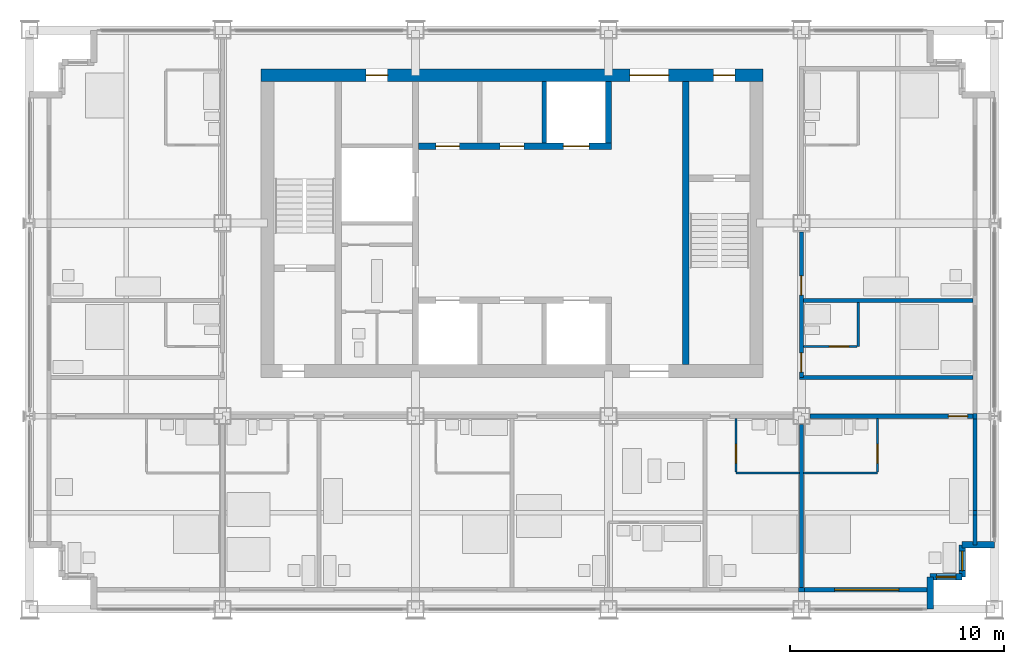
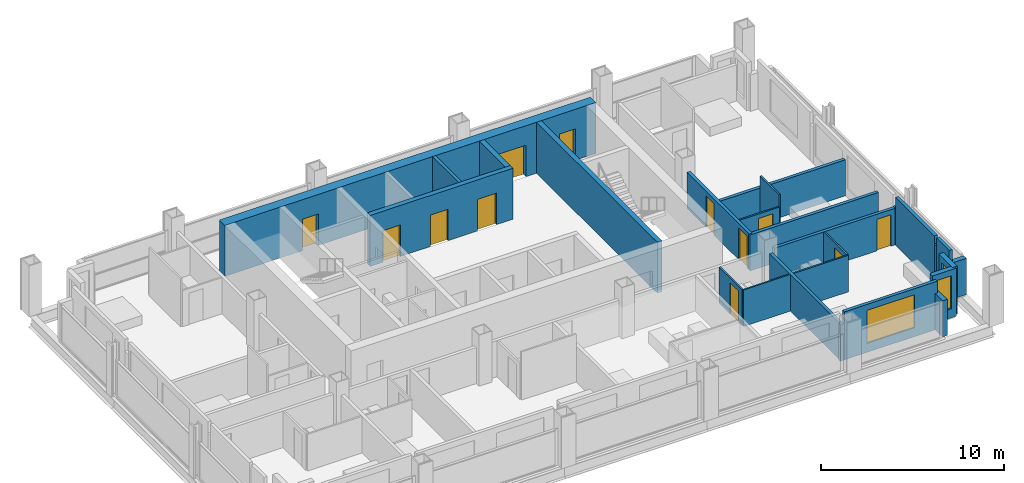
# One storey, part 9 of 13: 26 walls, 12 doors, 3 windows, 15 openings.
"""IFC4 building model written with IfcOpenShell, lengths in metres."""

from ifc_helpers import new_model, si_unit, direction, frame, frame_2d, origin, place, context, subcontext, project, spatial, rectangle, extrude, material, layer, layer_set, type_object, element, fill, save


model = new_model("IFC4")

# Units and contexts
model_context = context("Model", 3, precision=1e-05, world=origin(), true_north=direction((0.0, 1.0)))
body_context = subcontext(model_context, "Body", "Model", "MODEL_VIEW")
ifc_project = project(units=[si_unit("LENGTHUNIT", "METRE"), si_unit("AREAUNIT", "SQUARE_METRE"), si_unit("VOLUMEUNIT", "CUBIC_METRE"), si_unit("PLANEANGLEUNIT", "RADIAN"), si_unit("MASSUNIT", "GRAM", prefix="KILO")], contexts=[model_context])

# Site, building, storey
site_placement = place(None, origin())
site = spatial("IfcSite", under=ifc_project, at=site_placement, CompositionType="ELEMENT")
building_placement = place(site_placement, origin())
building = spatial("IfcBuilding", under=site, at=building_placement, Name="Loomwork Tower", CompositionType="ELEMENT")
storey_placement = place(building_placement, frame((0.0, 0.0, 211.39990234375)))
storey = spatial("IfcBuildingStorey", under=building, at=storey_placement, Name="L58", CompositionType="ELEMENT", Elevation=211.39990234375)

# Wall, openings, doors
ifc_material_1 = material(Name="Concrete 14000 psi (97 MPa)", Category="concrete")
ifc_layer_1 = layer(ifc_material_1, 0.300048828125)
ifc_layer_set_1 = layer_set([ifc_layer_1], Name="Core shear wall 300")
wall_type_1 = type_object("IfcWallType", Name="Core shear wall 300", PredefinedType="SHEAR", material=ifc_layer_set_1)
wall_1_placement = place(storey_placement, frame((18.14990234375, 21.60009765625, 0.0), z_axis=(0.0, 0.0, 1.0), x_axis=(1.0, 0.0, 0.0)))
wall_1 = element("IfcWall", 1, at=wall_1_placement, inside=storey, type_object=wall_type_1, Name="Lift front wall north L58", PredefinedType="SHEAR", context=body_context, shape_type="SweptSolid", body=[
    extrude(rectangle(XDim=9.0, YDim=0.300048828125, at=frame_2d((4.5, 0.0))), origin(), (0.0, 0.0, 1.0), 3.400146484375),
])
opening_1_placement = place(wall_1_placement, frame((6.75, 0.0, 0.0)))
opening_1 = element("IfcOpeningElement", 2, at=opening_1_placement, cuts=wall_1, Name="Opening LD2", PredefinedType="OPENING", context=body_context, shape_type="SweptSolid", body=[
    extrude(rectangle(XDim=1.199951171875, YDim=2.10009765625, at=frame_2d((0.60009765625, 1.050048828125))), frame((0.0, 0.159912109375, 0.0), z_axis=(0.0, -1.0, 0.0), x_axis=(1.0, 0.0, 0.0)), (0.0, 0.0, 1.0), 0.320068359375),
])
opening_2_placement = place(wall_1_placement, frame((0.800048828125, 0.0, 0.0)))
opening_2 = element("IfcOpeningElement", 3, at=opening_2_placement, cuts=wall_1, Name="Opening D17", PredefinedType="OPENING", context=body_context, shape_type="SweptSolid", body=[
    extrude(rectangle(XDim=1.10009765625, YDim=2.10009765625, at=frame_2d((0.550048828125, 1.050048828125))), frame((0.0, 0.159912109375, 0.0), z_axis=(0.0, -1.0, 0.0), x_axis=(1.0, 0.0, 0.0)), (0.0, 0.0, 1.0), 0.320068359375),
])
opening_3_placement = place(wall_1_placement, frame((3.800048828125, 0.0, 0.0)))
opening_3 = element("IfcOpeningElement", 4, at=opening_3_placement, cuts=wall_1, Name="Opening D17", PredefinedType="OPENING", context=body_context, shape_type="SweptSolid", body=[
    extrude(rectangle(XDim=1.10009765625, YDim=2.10009765625, at=frame_2d((0.550048828125, 1.050048828125))), frame((0.0, 0.159912109375, 0.0), z_axis=(0.0, -1.0, 0.0), x_axis=(1.0, 0.0, 0.0)), (0.0, 0.0, 1.0), 0.320068359375),
])
ifc_material_2 = material(Name="Hollow metal door and frame")
door_type_1 = type_object("IfcDoorType", Name="Lift landing door 1200", OperationType="SLIDING_TO_LEFT", PredefinedType="DOOR", material=ifc_material_2)
door_1_placement = place(opening_1_placement, origin())
door_1 = element("IfcDoor", 5, at=door_1_placement, inside=storey, type_object=door_type_1, Name="Lift landing door LF2", OperationType="SLIDING_TO_LEFT", OverallHeight=2.10009765625, OverallWidth=1.199951171875, PredefinedType="DOOR", context=body_context, shape_type="SweptSolid", body=[
    extrude(rectangle(XDim=1.199951171875, YDim=2.10009765625, at=frame_2d((0.60009765625, 1.050048828125))), frame((0.0, 0.02490234375, 0.0), z_axis=(0.0, -1.0, 0.0), x_axis=(1.0, 0.0, 0.0)), (0.0, 0.0, 1.0), 0.050048828125),
])
fill(opening_1, door_1)
ifc_material_3 = material(Name="Hollow metal door and frame")
door_type_2 = type_object("IfcDoorType", Name="Service room door 1100", OperationType="SINGLE_SWING_LEFT", PredefinedType="DOOR", material=ifc_material_3)
door_2_placement = place(opening_2_placement, origin())
door_2 = element("IfcDoor", 6, at=door_2_placement, inside=storey, type_object=door_type_2, Name="Storage room door L58", OperationType="SINGLE_SWING_LEFT", OverallHeight=2.10009765625, OverallWidth=1.10009765625, PredefinedType="DOOR", context=body_context, shape_type="SweptSolid", body=[
    extrude(rectangle(XDim=1.10009765625, YDim=2.10009765625, at=frame_2d((0.550048828125, 1.050048828125))), frame((0.0, 0.02490234375, 0.0), z_axis=(0.0, -1.0, 0.0), x_axis=(1.0, 0.0, 0.0)), (0.0, 0.0, 1.0), 0.050048828125),
])
fill(opening_2, door_2)
door_3_placement = place(opening_3_placement, origin())
door_3 = element("IfcDoor", 7, at=door_3_placement, inside=storey, type_object=door_type_2, Name="Linen and housekeeping store door L58", OperationType="SINGLE_SWING_LEFT", OverallHeight=2.10009765625, OverallWidth=1.10009765625, PredefinedType="DOOR", context=body_context, shape_type="SweptSolid", body=[
    extrude(rectangle(XDim=1.10009765625, YDim=2.10009765625, at=frame_2d((0.550048828125, 1.050048828125))), frame((0.0, 0.02490234375, 0.0), z_axis=(0.0, -1.0, 0.0), x_axis=(1.0, 0.0, 0.0)), (0.0, 0.0, 1.0), 0.050048828125),
])
fill(opening_3, door_3)

# Walls
wall_2_placement = place(storey_placement, frame((27.0, 21.75, 0.0), z_axis=(0.0, 0.0, 1.0), x_axis=(0.0, 1.0, 0.0)))
element("IfcWall", 8, at=wall_2_placement, inside=storey, type_object=wall_type_1, Name="Lift shaft end wall north L58", PredefinedType="SHEAR", context=body_context, shape_type="SweptSolid", body=[
    extrude(rectangle(XDim=2.85009765625, YDim=0.300048828125, at=frame_2d((1.425048828125, 0.0))), origin(), (0.0, 0.0, 1.0), 3.400146484375),
])
wall_3_placement = place(storey_placement, frame((30.60009765625, 11.39990234375, 0.0), z_axis=(0.0, 0.0, 1.0), x_axis=(0.0, 1.0, 0.0)))
element("IfcWall", 9, at=wall_3_placement, inside=storey, type_object=wall_type_1, Name="Stair B west wall L58", PredefinedType="SHEAR", context=body_context, shape_type="SweptSolid", body=[
    extrude(rectangle(XDim=13.2001953125, YDim=0.300048828125, at=frame_2d((6.60009765625, 0.0))), origin(), (0.0, 0.0, 1.0), 3.400146484375),
])

# Wall, openings, doors
ifc_material_4 = material(Name="Concrete 14000 psi (97 MPa)", Category="concrete")
ifc_layer_2 = layer(ifc_material_4, 0.60009765625)
ifc_layer_set_2 = layer_set([ifc_layer_2], Name="Core shear wall 600")
wall_type_2 = type_object("IfcWallType", Name="Core shear wall 600", PredefinedType="SHEAR", material=ifc_layer_set_2)
wall_4_placement = place(storey_placement, frame((10.800048828125, 24.89990234375, 0.0), z_axis=(0.0, 0.0, 1.0), x_axis=(1.0, 0.0, 0.0)))
wall_4 = element("IfcWall", 10, at=wall_4_placement, inside=storey, type_object=wall_type_2, Name="Core wall north L58", PredefinedType="SHEAR", context=body_context, shape_type="SweptSolid", body=[
    extrude(rectangle(XDim=23.39990234375, YDim=0.60009765625, at=frame_2d((11.699951171875, 0.0))), origin(), (0.0, 0.0, 1.0), 3.400146484375),
])
opening_4_placement = place(wall_4_placement, frame((17.199951171875, 0.0, 0.0)))
opening_4 = element("IfcOpeningElement", 11, at=opening_4_placement, cuts=wall_4, Name="Opening D6", PredefinedType="OPENING", context=body_context, shape_type="SweptSolid", body=[
    extrude(rectangle(XDim=1.800048828125, YDim=2.10009765625, at=frame_2d((0.89990234375, 1.050048828125))), frame((0.0, 0.31005859375, 0.0), z_axis=(0.0, -1.0, 0.0), x_axis=(1.0, 0.0, 0.0)), (0.0, 0.0, 1.0), 0.6201171875),
])
opening_5_placement = place(wall_4_placement, frame((21.10009765625, 0.0, 0.0)))
opening_5 = element("IfcOpeningElement", 12, at=opening_5_placement, cuts=wall_4, Name="Opening D4", PredefinedType="OPENING", context=body_context, shape_type="SweptSolid", body=[
    extrude(rectangle(XDim=1.0, YDim=2.10009765625, at=frame_2d((0.5, 1.050048828125))), frame((0.0, 0.31005859375, 0.0), z_axis=(0.0, -1.0, 0.0), x_axis=(1.0, 0.0, 0.0)), (0.0, 0.0, 1.0), 0.6201171875),
])
opening_6_placement = place(wall_4_placement, frame((4.89990234375, 0.0, 0.0)))
opening_6 = element("IfcOpeningElement", 13, at=opening_6_placement, cuts=wall_4, Name="Opening D5", PredefinedType="OPENING", context=body_context, shape_type="SweptSolid", body=[
    extrude(rectangle(XDim=1.0, YDim=2.10009765625, at=frame_2d((0.5, 1.050048828125))), frame((0.0, 0.31005859375, 0.0), z_axis=(0.0, -1.0, 0.0), x_axis=(1.0, 0.0, 0.0)), (0.0, 0.0, 1.0), 0.6201171875),
])
ifc_material_5 = material(Name="Hollow metal door and frame")
door_type_3 = type_object("IfcDoorType", Name="Lobby passage double door 1800", OperationType="DOUBLE_DOOR_SINGLE_SWING", PredefinedType="DOOR", material=ifc_material_5)
door_4_placement = place(opening_4_placement, frame((1.800048828125, 0.0, 0.0), z_axis=(0.0, 0.0, 1.0), x_axis=(-1.0, 0.0, 0.0)))
door_4 = element("IfcDoor", 14, at=door_4_placement, inside=storey, type_object=door_type_3, Name="Lobby passage door north", OperationType="DOUBLE_DOOR_SINGLE_SWING", OverallHeight=2.10009765625, OverallWidth=1.800048828125, PredefinedType="DOOR", context=body_context, shape_type="SweptSolid", body=[
    extrude(rectangle(XDim=1.800048828125, YDim=2.10009765625, at=frame_2d((0.89990234375, 1.050048828125))), frame((0.0, 0.02490234375, 0.0), z_axis=(0.0, -1.0, 0.0), x_axis=(1.0, 0.0, 0.0)), (0.0, 0.0, 1.0), 0.050048828125),
])
fill(opening_4, door_4)
ifc_material_6 = material(Name="Hollow metal door and frame")
door_type_4 = type_object("IfcDoorType", Name="Service door 1000", OperationType="SINGLE_SWING_LEFT", PredefinedType="DOOR", material=ifc_material_6)
door_5_placement = place(opening_6_placement, frame((1.0, 0.0, 0.0), z_axis=(0.0, 0.0, 1.0), x_axis=(-1.0, 0.0, 0.0)))
door_5 = element("IfcDoor", 15, at=door_5_placement, inside=storey, type_object=door_type_4, Name="Back-of-house door north", OperationType="SINGLE_SWING_LEFT", OverallHeight=2.10009765625, OverallWidth=1.0, PredefinedType="DOOR", context=body_context, shape_type="SweptSolid", body=[
    extrude(rectangle(XDim=1.0, YDim=2.10009765625, at=frame_2d((0.5, 1.050048828125))), frame((0.0, 0.02490234375, 0.0), z_axis=(0.0, -1.0, 0.0), x_axis=(1.0, 0.0, 0.0)), (0.0, 0.0, 1.0), 0.050048828125),
])
fill(opening_6, door_5)
ifc_material_7 = material(Name="Hollow metal door and frame")
door_type_5 = type_object("IfcDoorType", Name="Stair door 1000", OperationType="SINGLE_SWING_RIGHT", PredefinedType="DOOR", material=ifc_material_7)
door_6_placement = place(opening_5_placement, frame((1.0, 0.0, 0.0), z_axis=(0.0, 0.0, 1.0), x_axis=(-1.0, 0.0, 0.0)))
door_6 = element("IfcDoor", 16, at=door_6_placement, inside=storey, type_object=door_type_5, Name="Stair B vestibule door", OperationType="SINGLE_SWING_LEFT", OverallHeight=2.10009765625, OverallWidth=1.0, PredefinedType="DOOR", context=body_context, shape_type="SweptSolid", body=[
    extrude(rectangle(XDim=1.0, YDim=2.10009765625, at=frame_2d((0.5, 1.050048828125))), frame((0.0, 0.02490234375, 0.0), z_axis=(0.0, -1.0, 0.0), x_axis=(1.0, 0.0, 0.0)), (0.0, 0.0, 1.0), 0.050048828125),
])
fill(opening_5, door_6)

# Wall, opening, door
ifc_material_8 = material(Name="Gypsum board on steel studs, one-hour", Category="steel")
ifc_layer_3 = layer(ifc_material_8, 0.199951171875)
ifc_layer_set_3 = layer_set([ifc_layer_3], Name="Corridor wall 200")
wall_type_3 = type_object("IfcWallType", Name="Corridor wall 200", PredefinedType="PARTITIONING", material=ifc_layer_set_3)
wall_5_placement = place(storey_placement, frame((36.39990234375, 9.0, 0.0), z_axis=(0.0, 0.0, 1.0), x_axis=(1.0, 0.0, 0.0)))
wall_5 = element("IfcWall", 17, at=wall_5_placement, inside=storey, type_object=wall_type_3, Name="South corridor wall 5", PredefinedType="PARTITIONING", context=body_context, shape_type="SweptSolid", body=[
    extrude(rectangle(XDim=7.60009765625, YDim=0.199951171875, at=frame_2d((3.800048828125, 0.0))), origin(), (0.0, 0.0, 1.0), 2.43798828125),
])
opening_7_placement = place(wall_5_placement, frame((6.449951171875, 0.0, 0.0)))
opening_7 = element("IfcOpeningElement", 18, at=opening_7_placement, cuts=wall_5, Name="Opening D1", PredefinedType="OPENING", context=body_context, shape_type="SweptSolid", body=[
    extrude(rectangle(XDim=0.89990234375, YDim=2.10009765625, at=frame_2d((0.449951171875, 1.050048828125))), frame((0.0, 0.10986328125, 0.0), z_axis=(0.0, -1.0, 0.0), x_axis=(1.0, 0.0, 0.0)), (0.0, 0.0, 1.0), 0.219970703125),
])
ifc_material_9 = material(Name="Hollow metal door and frame")
door_type_6 = type_object("IfcDoorType", Name="Guest room entry door 900", OperationType="SINGLE_SWING_LEFT", PredefinedType="DOOR", material=ifc_material_9)
door_7_placement = place(opening_7_placement, frame((0.89990234375, 0.0, 0.0), z_axis=(0.0, 0.0, 1.0), x_axis=(-1.0, 0.0, 0.0)))
door_7 = element("IfcDoor", 19, at=door_7_placement, inside=storey, type_object=door_type_6, Name="Guest room entry door L58 6", OperationType="SINGLE_SWING_LEFT", OverallHeight=2.10009765625, OverallWidth=0.89990234375, PredefinedType="DOOR", context=body_context, shape_type="SweptSolid", body=[
    extrude(rectangle(XDim=0.89990234375, YDim=2.10009765625, at=frame_2d((0.449951171875, 1.050048828125))), frame((0.0, 0.02490234375, 0.0), z_axis=(0.0, -1.0, 0.0), x_axis=(1.0, 0.0, 0.0)), (0.0, 0.0, 1.0), 0.050048828125),
])
fill(opening_7, door_7)

# Wall, openings, doors
wall_6_placement = place(storey_placement, frame((36.0, 10.800048828125, 0.0), z_axis=(0.0, 0.0, 1.0), x_axis=(0.0, 1.0, 0.0)))
wall_6 = element("IfcWall", 20, at=wall_6_placement, inside=storey, type_object=wall_type_3, Name="East corridor wall 1", PredefinedType="PARTITIONING", context=body_context, shape_type="SweptSolid", body=[
    extrude(rectangle(XDim=6.800048828125, YDim=0.199951171875, at=frame_2d((3.39990234375, 0.0))), origin(), (0.0, 0.0, 1.0), 2.405029296875),
])
opening_8_placement = place(wall_6_placement, frame((0.25, 0.0, 0.0)))
opening_8 = element("IfcOpeningElement", 21, at=opening_8_placement, cuts=wall_6, Name="Opening D1", PredefinedType="OPENING", context=body_context, shape_type="SweptSolid", body=[
    extrude(rectangle(XDim=0.89990234375, YDim=2.10009765625, at=frame_2d((0.449951171875, 1.050048828125))), frame((0.0, 0.10986328125, 0.0), z_axis=(0.0, -1.0, 0.0), x_axis=(1.0, 0.0, 0.0)), (0.0, 0.0, 1.0), 0.219970703125),
])
opening_9_placement = place(wall_6_placement, frame((3.85009765625, 0.0, 0.0)))
opening_9 = element("IfcOpeningElement", 22, at=opening_9_placement, cuts=wall_6, Name="Opening D1", PredefinedType="OPENING", context=body_context, shape_type="SweptSolid", body=[
    extrude(rectangle(XDim=0.89990234375, YDim=2.10009765625, at=frame_2d((0.449951171875, 1.050048828125))), frame((0.0, 0.10986328125, 0.0), z_axis=(0.0, -1.0, 0.0), x_axis=(1.0, 0.0, 0.0)), (0.0, 0.0, 1.0), 0.219970703125),
])
door_8_placement = place(opening_8_placement, frame((0.89990234375, 0.0, 0.0), z_axis=(0.0, 0.0, 1.0), x_axis=(-1.0, 0.0, 0.0)))
door_8 = element("IfcDoor", 23, at=door_8_placement, inside=storey, type_object=door_type_6, Name="Guest room entry door L58 9", OperationType="SINGLE_SWING_RIGHT", OverallHeight=2.10009765625, OverallWidth=0.89990234375, PredefinedType="DOOR", context=body_context, shape_type="SweptSolid", body=[
    extrude(rectangle(XDim=0.89990234375, YDim=2.10009765625, at=frame_2d((0.449951171875, 1.050048828125))), frame((0.0, 0.02490234375, 0.0), z_axis=(0.0, -1.0, 0.0), x_axis=(1.0, 0.0, 0.0)), (0.0, 0.0, 1.0), 0.050048828125),
])
fill(opening_8, door_8)
door_9_placement = place(opening_9_placement, frame((0.89990234375, 0.0, 0.0), z_axis=(0.0, 0.0, 1.0), x_axis=(-1.0, 0.0, 0.0)))
door_9 = element("IfcDoor", 24, at=door_9_placement, inside=storey, type_object=door_type_6, Name="Guest room entry door L58 10", OperationType="SINGLE_SWING_RIGHT", OverallHeight=2.10009765625, OverallWidth=0.89990234375, PredefinedType="DOOR", context=body_context, shape_type="SweptSolid", body=[
    extrude(rectangle(XDim=0.89990234375, YDim=2.10009765625, at=frame_2d((0.449951171875, 1.050048828125))), frame((0.0, 0.02490234375, 0.0), z_axis=(0.0, -1.0, 0.0), x_axis=(1.0, 0.0, 0.0)), (0.0, 0.0, 1.0), 0.050048828125),
])
fill(opening_9, door_9)

# Walls
wall_7_placement = place(storey_placement, frame((35.89990234375, 10.800048828125, 0.0), z_axis=(0.0, 0.0, 1.0), x_axis=(1.0, 0.0, 0.0)))
element("IfcWall", 25, at=wall_7_placement, inside=storey, type_object=wall_type_3, Name="East band end wall S", PredefinedType="PARTITIONING", context=body_context, shape_type="SweptSolid", body=[
    extrude(rectangle(XDim=8.10009765625, YDim=0.199951171875, at=frame_2d((4.050048828125, 0.0))), origin(), (0.0, 0.0, 1.0), 2.404052734375),
])
ifc_material_10 = material(Name="Cement board on steel studs", Category="steel")
ifc_layer_4 = layer(ifc_material_10, 0.10009765625)
ifc_layer_set_4 = layer_set([ifc_layer_4], Name="En-suite partition 100")
wall_type_4 = type_object("IfcWallType", Name="En-suite partition 100", PredefinedType="PARTITIONING", material=ifc_layer_set_4)
wall_8_placement = place(storey_placement, frame((32.949951171875, 6.35009765625, 0.0), z_axis=(0.0, 0.0, 1.0), x_axis=(1.0, 0.0, 0.0)))
element("IfcWall", 26, at=wall_8_placement, inside=storey, type_object=wall_type_4, Name="En-suite wall L58 room 5", PredefinedType="PARTITIONING", context=body_context, shape_type="SweptSolid", body=[
    extrude(rectangle(XDim=2.949951171875, YDim=0.10009765625, at=frame_2d((1.47509765625, 0.0))), origin(), (0.0, 0.0, 1.0), 2.43798828125),
])

# Wall, opening, door
wall_9_placement = place(storey_placement, frame((32.949951171875, 8.89990234375, 0.0), z_axis=(0.0, 0.0, 1.0), x_axis=(0.0, -1.0, 0.0)))
wall_9 = element("IfcWall", 27, at=wall_9_placement, inside=storey, type_object=wall_type_4, Name="En-suite side wall L58 room 5", PredefinedType="PARTITIONING", context=body_context, shape_type="SweptSolid", body=[
    extrude(rectangle(XDim=2.5, YDim=0.10009765625, at=frame_2d((1.25, 0.0))), origin(), (0.0, 0.0, 1.0), 2.404052734375),
])
opening_10_placement = place(wall_9_placement, frame((1.199951171875, 0.0, 0.0)))
opening_10 = element("IfcOpeningElement", 28, at=opening_10_placement, cuts=wall_9, Name="Opening D2", PredefinedType="OPENING", context=body_context, shape_type="SweptSolid", body=[
    extrude(rectangle(XDim=0.89990234375, YDim=2.10009765625, at=frame_2d((0.449951171875, 1.050048828125))), frame((0.0, 0.06005859375, 0.0), z_axis=(0.0, -1.0, 0.0), x_axis=(1.0, 0.0, 0.0)), (0.0, 0.0, 1.0), 0.1201171875),
])
ifc_material_11 = material(Name="Hollow metal door and frame")
door_type_7 = type_object("IfcDoorType", Name="En-suite door 900", OperationType="SINGLE_SWING_LEFT", PredefinedType="DOOR", material=ifc_material_11)
door_10_placement = place(opening_10_placement, origin())
door_10 = element("IfcDoor", 29, at=door_10_placement, inside=storey, type_object=door_type_7, Name="En-suite door room 5", OperationType="SINGLE_SWING_RIGHT", OverallHeight=2.10009765625, OverallWidth=0.89990234375, PredefinedType="DOOR", context=body_context, shape_type="SweptSolid", body=[
    extrude(rectangle(XDim=0.89990234375, YDim=2.10009765625, at=frame_2d((0.449951171875, 1.050048828125))), frame((0.0, 0.02490234375, 0.0), z_axis=(0.0, -1.0, 0.0), x_axis=(1.0, 0.0, 0.0)), (0.0, 0.0, 1.0), 0.050048828125),
])
fill(opening_10, door_10)

# Wall
wall_10_placement = place(storey_placement, frame((36.10009765625, 6.35009765625, 0.0), z_axis=(0.0, 0.0, 1.0), x_axis=(1.0, 0.0, 0.0)))
element("IfcWall", 30, at=wall_10_placement, inside=storey, type_object=wall_type_4, Name="En-suite wall L58 room 6", PredefinedType="PARTITIONING", context=body_context, shape_type="SweptSolid", body=[
    extrude(rectangle(XDim=3.449951171875, YDim=0.10009765625, at=frame_2d((1.72509765625, 0.0))), origin(), (0.0, 0.0, 1.0), 2.43798828125),
])

# Wall, opening, door
wall_11_placement = place(storey_placement, frame((39.550048828125, 8.89990234375, 0.0), z_axis=(0.0, 0.0, 1.0), x_axis=(0.0, -1.0, 0.0)))
wall_11 = element("IfcWall", 31, at=wall_11_placement, inside=storey, type_object=wall_type_4, Name="En-suite side wall L58 room 6", PredefinedType="PARTITIONING", context=body_context, shape_type="SweptSolid", body=[
    extrude(rectangle(XDim=2.5, YDim=0.10009765625, at=frame_2d((1.25, 0.0))), origin(), (0.0, 0.0, 1.0), 2.43798828125),
])
opening_11_placement = place(wall_11_placement, frame((1.199951171875, 0.0, 0.0)))
opening_11 = element("IfcOpeningElement", 32, at=opening_11_placement, cuts=wall_11, Name="Opening D2", PredefinedType="OPENING", context=body_context, shape_type="SweptSolid", body=[
    extrude(rectangle(XDim=0.89990234375, YDim=2.10009765625, at=frame_2d((0.449951171875, 1.050048828125))), frame((0.0, 0.06005859375, 0.0), z_axis=(0.0, -1.0, 0.0), x_axis=(1.0, 0.0, 0.0)), (0.0, 0.0, 1.0), 0.1201171875),
])
door_11_placement = place(opening_11_placement, frame((0.89990234375, 0.0, 0.0), z_axis=(0.0, 0.0, 1.0), x_axis=(-1.0, 0.0, 0.0)))
door_11 = element("IfcDoor", 33, at=door_11_placement, inside=storey, type_object=door_type_7, Name="En-suite door room 6", OperationType="SINGLE_SWING_LEFT", OverallHeight=2.10009765625, OverallWidth=0.89990234375, PredefinedType="DOOR", context=body_context, shape_type="SweptSolid", body=[
    extrude(rectangle(XDim=0.89990234375, YDim=2.10009765625, at=frame_2d((0.449951171875, 1.050048828125))), frame((0.0, 0.02490234375, 0.0), z_axis=(0.0, -1.0, 0.0), x_axis=(1.0, 0.0, 0.0)), (0.0, 0.0, 1.0), 0.050048828125),
])
fill(opening_11, door_11)

# Wall
wall_12_placement = place(storey_placement, frame((38.64990234375, 12.25, 0.0), z_axis=(0.0, 0.0, 1.0), x_axis=(0.0, 1.0, 0.0)))
element("IfcWall", 34, at=wall_12_placement, inside=storey, type_object=wall_type_4, Name="En-suite wall L58 room 9", PredefinedType="PARTITIONING", context=body_context, shape_type="SweptSolid", body=[
    extrude(rectangle(XDim=2.050048828125, YDim=0.10009765625, at=frame_2d((1.02490234375, 0.0))), origin(), (0.0, 0.0, 1.0), 3.2001953125),
])

# Wall, opening, door
wall_13_placement = place(storey_placement, frame((36.10009765625, 12.25, 0.0), z_axis=(0.0, 0.0, 1.0), x_axis=(1.0, 0.0, 0.0)))
wall_13 = element("IfcWall", 35, at=wall_13_placement, inside=storey, type_object=wall_type_4, Name="En-suite side wall L58 room 9", PredefinedType="PARTITIONING", context=body_context, shape_type="SweptSolid", body=[
    extrude(rectangle(XDim=2.5, YDim=0.10009765625, at=frame_2d((1.25, 0.0))), origin(), (0.0, 0.0, 1.0), 2.404052734375),
])
opening_12_placement = place(wall_13_placement, frame((1.199951171875, 0.0, 0.0)))
opening_12 = element("IfcOpeningElement", 36, at=opening_12_placement, cuts=wall_13, Name="Opening D2", PredefinedType="OPENING", context=body_context, shape_type="SweptSolid", body=[
    extrude(rectangle(XDim=0.89990234375, YDim=2.10009765625, at=frame_2d((0.449951171875, 1.050048828125))), frame((0.0, 0.06005859375, 0.0), z_axis=(0.0, -1.0, 0.0), x_axis=(1.0, 0.0, 0.0)), (0.0, 0.0, 1.0), 0.1201171875),
])
door_12_placement = place(opening_12_placement, origin())
door_12 = element("IfcDoor", 37, at=door_12_placement, inside=storey, type_object=door_type_7, Name="En-suite door room 9", OperationType="SINGLE_SWING_RIGHT", OverallHeight=2.10009765625, OverallWidth=0.89990234375, PredefinedType="DOOR", context=body_context, shape_type="SweptSolid", body=[
    extrude(rectangle(XDim=0.89990234375, YDim=2.10009765625, at=frame_2d((0.449951171875, 1.050048828125))), frame((0.0, 0.02490234375, 0.0), z_axis=(0.0, -1.0, 0.0), x_axis=(1.0, 0.0, 0.0)), (0.0, 0.0, 1.0), 0.050048828125),
])
fill(opening_12, door_12)

# Walls
ifc_material_12 = material(Name="Gypsum board on steel studs, acoustic", Category="steel")
ifc_layer_5 = layer(ifc_material_12, 0.199951171875)
ifc_layer_set_5 = layer_set([ifc_layer_5], Name="Guest room party wall 200")
wall_type_5 = type_object("IfcWallType", Name="Guest room party wall 200", PredefinedType="PARTITIONING", material=ifc_layer_set_5)
wall_14_placement = place(storey_placement, frame((36.0, 8.60009765625, 0.0), z_axis=(0.0, 0.0, 1.0), x_axis=(0.0, -1.0, 0.0)))
element("IfcWall", 38, at=wall_14_placement, inside=storey, type_object=wall_type_5, Name="Guest room party wall S 36", PredefinedType="PARTITIONING", context=body_context, shape_type="SweptSolid", body=[
    extrude(rectangle(XDim=7.60009765625, YDim=0.199951171875, at=frame_2d((3.800048828125, 0.0))), origin(), (0.0, 0.0, 1.0), 2.43798828125),
])
wall_15_placement = place(storey_placement, frame((36.10009765625, 14.39990234375, 0.0), z_axis=(0.0, 0.0, 1.0), x_axis=(1.0, 0.0, 0.0)))
element("IfcWall", 39, at=wall_15_placement, inside=storey, type_object=wall_type_5, Name="Guest room party wall E 14.4", PredefinedType="PARTITIONING", context=body_context, shape_type="SweptSolid", body=[
    extrude(rectangle(XDim=7.89990234375, YDim=0.199951171875, at=frame_2d((3.949951171875, 0.0))), origin(), (0.0, 0.0, 1.0), 2.404052734375),
])
ifc_material_13 = material(Name="Insulated steel stud wall with gypsum lining", Category="steel")
ifc_layer_6 = layer(ifc_material_13, 0.199951171875)
ifc_layer_set_6 = layer_set([ifc_layer_6], Name="Inner skin wall 200")
wall_type_6 = type_object("IfcWallType", Name="Inner skin wall 200", PredefinedType="SOLIDWALL", material=ifc_layer_set_6)
wall_16_placement = place(storey_placement, frame((44.10009765625, 3.0, 0.0), z_axis=(0.0, 0.0, 1.0), x_axis=(0.0, 1.0, 0.0)))
element("IfcWall", 40, at=wall_16_placement, inside=storey, type_object=wall_type_6, Name="Inner skin wall E", PredefinedType="SOLIDWALL", context=body_context, shape_type="SweptSolid", body=[
    extrude(rectangle(XDim=1.392578125, YDim=0.199951171875, at=frame_2d((0.6962890625, 0.0))), origin(), (0.0, 0.0, 1.0), 3.2001953125),
])
wall_17_placement = place(storey_placement, frame((35.864501953125, 0.89990234375, 0.0), z_axis=(0.0, 0.0, 1.0), x_axis=(1.0, 0.0, 0.0)))
element("IfcWall", 41, at=wall_17_placement, inside=storey, type_object=wall_type_6, Name="Inner skin wall S bay 8", PredefinedType="SOLIDWALL", context=body_context, shape_type="SweptSolid", body=[
    extrude(rectangle(XDim=0.27099609375, YDim=0.199951171875, at=frame_2d((0.135498046875, 0.0))), origin(), (0.0, 0.0, 1.0), 2.43798828125),
])

# Wall, opening, window
wall_18_placement = place(storey_placement, frame((36.135498046875, 0.89990234375, 0.0), z_axis=(0.0, 0.0, 1.0), x_axis=(1.0, 0.0, 0.0)))
wall_18 = element("IfcWall", 42, at=wall_18_placement, inside=storey, type_object=wall_type_6, Name="Inner skin wall S bay 9", PredefinedType="SOLIDWALL", context=body_context, shape_type="SweptSolid", body=[
    extrude(rectangle(XDim=5.864501953125, YDim=0.199951171875, at=frame_2d((2.93212890625, 0.0))), origin(), (0.0, 0.0, 1.0), 3.2001953125),
])
opening_13_placement = place(wall_18_placement, frame((1.41455078125, 0.0, 0.60009765625)))
opening_13 = element("IfcOpeningElement", 43, at=opening_13_placement, cuts=wall_18, Name="Opening CH1", PredefinedType="OPENING", context=body_context, shape_type="SweptSolid", body=[
    extrude(rectangle(XDim=3.0, YDim=2.199951171875, at=frame_2d((1.5, 1.10009765625))), frame((0.0, 0.10986328125, 0.0), z_axis=(0.0, -1.0, 0.0), x_axis=(1.0, 0.0, 0.0)), (0.0, 0.0, 1.0), 0.219970703125),
])
ifc_material_14 = material(Name="Aluminium frame with clear insulated glass", Category="aluminium")
window_type_1 = type_object("IfcWindowType", Name="Chicago window 3000", PartitioningType="TRIPLE_PANEL_VERTICAL", PredefinedType="WINDOW", material=ifc_material_14)
window_1_placement = place(opening_13_placement, origin())
window_1 = element("IfcWindow", 44, at=window_1_placement, inside=storey, type_object=window_type_1, Name="Chicago window L58 bay 5", OverallHeight=2.199951171875, OverallWidth=3.0, PartitioningType="TRIPLE_PANEL_VERTICAL", PredefinedType="WINDOW", context=body_context, shape_type="SweptSolid", body=[
    extrude(rectangle(XDim=3.0, YDim=2.199951171875, at=frame_2d((1.5, 1.10009765625))), frame((0.0, 0.030029296875, 0.0), z_axis=(0.0, -1.0, 0.0), x_axis=(1.0, 0.0, 0.0)), (0.0, 0.0, 1.0), 0.06005859375),
])
fill(opening_13, window_1)

# Walls
wall_19_placement = place(storey_placement, frame((44.10009765625, 4.392578125, 0.0), z_axis=(0.0, 0.0, 1.0), x_axis=(0.0, 1.0, 0.0)))
element("IfcWall", 45, at=wall_19_placement, inside=storey, type_object=wall_type_6, Name="Inner skin wall E bay 2", PredefinedType="SOLIDWALL", context=body_context, shape_type="SweptSolid", body=[
    extrude(rectangle(XDim=0.21484375, YDim=0.199951171875, at=frame_2d((0.107421875, 0.0))), origin(), (0.0, 0.0, 1.0), 2.6611328125),
])
wall_20_placement = place(storey_placement, frame((44.10009765625, 4.607421875, 0.0), z_axis=(0.0, 0.0, 1.0), x_axis=(0.0, 1.0, 0.0)))
element("IfcWall", 46, at=wall_20_placement, inside=storey, type_object=wall_type_6, Name="Inner skin wall E bay 3", PredefinedType="SOLIDWALL", context=body_context, shape_type="SweptSolid", body=[
    extrude(rectangle(XDim=4.25732421875, YDim=0.199951171875, at=frame_2d((2.128662109375, 0.0))), origin(), (0.0, 0.0, 1.0), 3.2001953125),
])
wall_21_placement = place(storey_placement, frame((44.10009765625, 8.86474609375, 0.0), z_axis=(0.0, 0.0, 1.0), x_axis=(0.0, 1.0, 0.0)))
element("IfcWall", 47, at=wall_21_placement, inside=storey, type_object=wall_type_6, Name="Inner skin wall E bay 4", PredefinedType="SOLIDWALL", context=body_context, shape_type="SweptSolid", body=[
    extrude(rectangle(XDim=0.2705078125, YDim=0.199951171875, at=frame_2d((0.13525390625, 0.0))), origin(), (0.0, 0.0, 1.0), 2.43798828125),
])
ifc_material_15 = material(Name="Concrete 14000 psi (97 MPa)", Category="concrete")
ifc_layer_7 = layer(ifc_material_15, 0.199951171875)
ifc_layer_set_7 = layer_set([ifc_layer_7], Name="Lift shaft wall 200")
wall_type_7 = type_object("IfcWallType", Name="Lift shaft wall 200", PredefinedType="SHEAR", material=ifc_layer_set_7)
wall_22_placement = place(storey_placement, frame((24.0, 21.75, 0.0), z_axis=(0.0, 0.0, 1.0), x_axis=(0.0, 1.0, 0.0)))
element("IfcWall", 48, at=wall_22_placement, inside=storey, type_object=wall_type_7, Name="Lift shaft separation wall north 2 L58", PredefinedType="SHEAR", context=body_context, shape_type="SweptSolid", body=[
    extrude(rectangle(XDim=2.85009765625, YDim=0.199951171875, at=frame_2d((1.425048828125, 0.0))), origin(), (0.0, 0.0, 1.0), 3.400146484375),
])
ifc_material_16 = material(Name="Limestone on concrete masonry", Category="masonry")
ifc_layer_8 = layer(ifc_material_16, 0.300048828125)
ifc_layer_set_8 = layer_set([ifc_layer_8], Name="Limestone corner wall 300")
wall_type_8 = type_object("IfcWallType", Name="Limestone corner wall 300", PredefinedType="SOLIDWALL", material=ifc_layer_set_8)
wall_23_placement = place(storey_placement, frame((42.0, 0.0, 0.0), z_axis=(0.0, 0.0, 1.0), x_axis=(0.0, 1.0, 0.0)))
element("IfcWall", 49, at=wall_23_placement, inside=storey, type_object=wall_type_8, Name="Stone corner wall SE 1", PredefinedType="SOLIDWALL", context=body_context, shape_type="SweptSolid", body=[
    extrude(rectangle(XDim=1.5, YDim=0.300048828125, at=frame_2d((0.75, 0.0))), origin(), (0.0, 0.0, 1.0), 2.420166015625),
])

# Wall, opening, window
wall_24_placement = place(storey_placement, frame((42.0, 1.5, 0.0), z_axis=(0.0, 0.0, 1.0), x_axis=(1.0, 0.0, 0.0)))
wall_24 = element("IfcWall", 50, at=wall_24_placement, inside=storey, type_object=wall_type_8, Name="Stone corner wall SE 2", PredefinedType="SOLIDWALL", context=body_context, shape_type="SweptSolid", body=[
    extrude(rectangle(XDim=1.5, YDim=0.300048828125, at=frame_2d((0.75, 0.0))), origin(), (0.0, 0.0, 1.0), 3.2001953125),
])
opening_14_placement = place(wall_24_placement, frame((0.300048828125, 0.0, 0.60009765625)))
opening_14 = element("IfcOpeningElement", 51, at=opening_14_placement, cuts=wall_24, Name="Opening CH2", PredefinedType="OPENING", context=body_context, shape_type="SweptSolid", body=[
    extrude(rectangle(XDim=0.89990234375, YDim=2.199951171875, at=frame_2d((0.449951171875, 1.10009765625))), frame((0.0, 0.159912109375, 0.0), z_axis=(0.0, -1.0, 0.0), x_axis=(1.0, 0.0, 0.0)), (0.0, 0.0, 1.0), 0.320068359375),
])
ifc_material_17 = material(Name="Aluminium frame with clear insulated glass", Category="aluminium")
window_type_2 = type_object("IfcWindowType", Name="Corner window 900", PartitioningType="SINGLE_PANEL", PredefinedType="WINDOW", material=ifc_material_17)
window_2_placement = place(opening_14_placement, origin())
window_2 = element("IfcWindow", 52, at=window_2_placement, inside=storey, type_object=window_type_2, Name="Corner window SE", OverallHeight=2.199951171875, OverallWidth=0.89990234375, PartitioningType="SINGLE_PANEL", PredefinedType="WINDOW", context=body_context, shape_type="SweptSolid", body=[
    extrude(rectangle(XDim=0.89990234375, YDim=2.199951171875, at=frame_2d((0.449951171875, 1.10009765625))), frame((0.0, 0.030029296875, 0.0), z_axis=(0.0, -1.0, 0.0), x_axis=(1.0, 0.0, 0.0)), (0.0, 0.0, 1.0), 0.06005859375),
])
fill(opening_14, window_2)

wall_25_placement = place(storey_placement, frame((43.5, 1.5, 0.0), z_axis=(0.0, 0.0, 1.0), x_axis=(0.0, 1.0, 0.0)))
wall_25 = element("IfcWall", 53, at=wall_25_placement, inside=storey, type_object=wall_type_8, Name="Stone corner wall SE 3", PredefinedType="SOLIDWALL", context=body_context, shape_type="SweptSolid", body=[
    extrude(rectangle(XDim=1.5, YDim=0.300048828125, at=frame_2d((0.75, 0.0))), origin(), (0.0, 0.0, 1.0), 3.2001953125),
])
opening_15_placement = place(wall_25_placement, frame((0.300048828125, 0.0, 0.60009765625)))
opening_15 = element("IfcOpeningElement", 54, at=opening_15_placement, cuts=wall_25, Name="Opening CH2", PredefinedType="OPENING", context=body_context, shape_type="SweptSolid", body=[
    extrude(rectangle(XDim=0.89990234375, YDim=2.199951171875, at=frame_2d((0.449951171875, 1.10009765625))), frame((0.0, 0.159912109375, 0.0), z_axis=(0.0, -1.0, 0.0), x_axis=(1.0, 0.0, 0.0)), (0.0, 0.0, 1.0), 0.320068359375),
])
window_3_placement = place(opening_15_placement, origin())
window_3 = element("IfcWindow", 55, at=window_3_placement, inside=storey, type_object=window_type_2, Name="Corner window SE", OverallHeight=2.199951171875, OverallWidth=0.89990234375, PartitioningType="SINGLE_PANEL", PredefinedType="WINDOW", context=body_context, shape_type="SweptSolid", body=[
    extrude(rectangle(XDim=0.89990234375, YDim=2.199951171875, at=frame_2d((0.449951171875, 1.10009765625))), frame((0.0, 0.030029296875, 0.0), z_axis=(0.0, -1.0, 0.0), x_axis=(1.0, 0.0, 0.0)), (0.0, 0.0, 1.0), 0.06005859375),
])
fill(opening_15, window_3)

# Wall
wall_26_placement = place(storey_placement, frame((43.5, 3.0, 0.0), z_axis=(0.0, 0.0, 1.0), x_axis=(1.0, 0.0, 0.0)))
element("IfcWall", 56, at=wall_26_placement, inside=storey, type_object=wall_type_8, Name="Stone corner wall SE 4", PredefinedType="SOLIDWALL", context=body_context, shape_type="SweptSolid", body=[
    extrude(rectangle(XDim=1.5, YDim=0.300048828125, at=frame_2d((0.75, 0.0))), origin(), (0.0, 0.0, 1.0), 2.420166015625),
])

save(model, "model.ifc")
